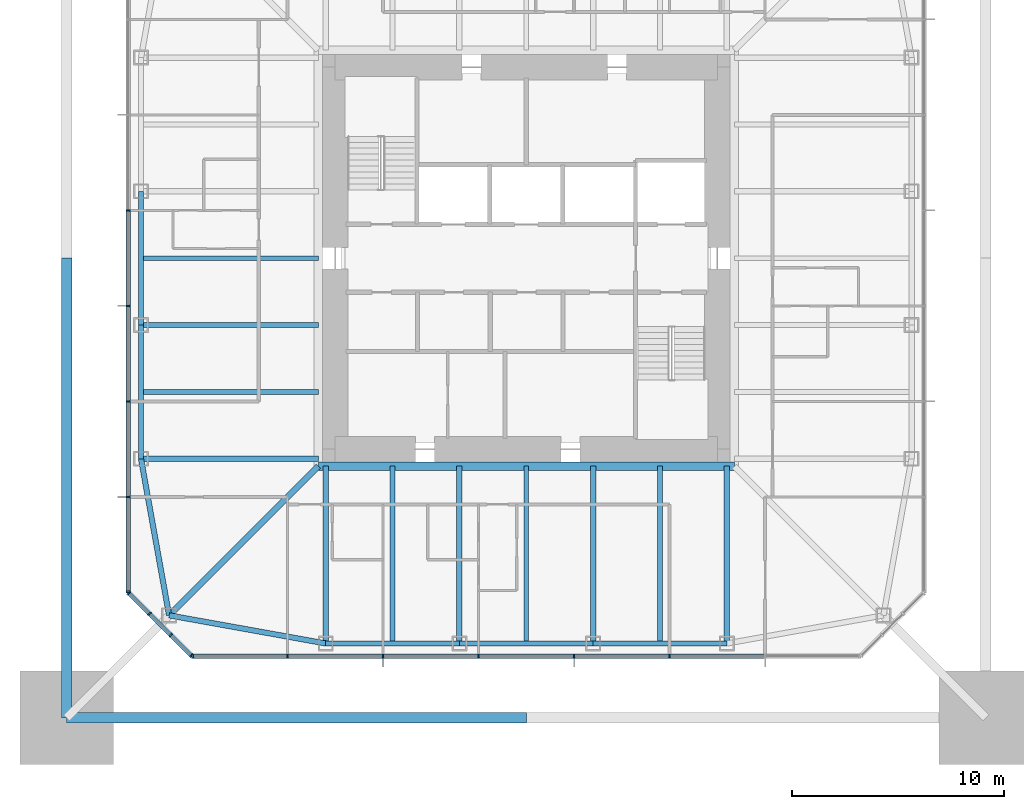
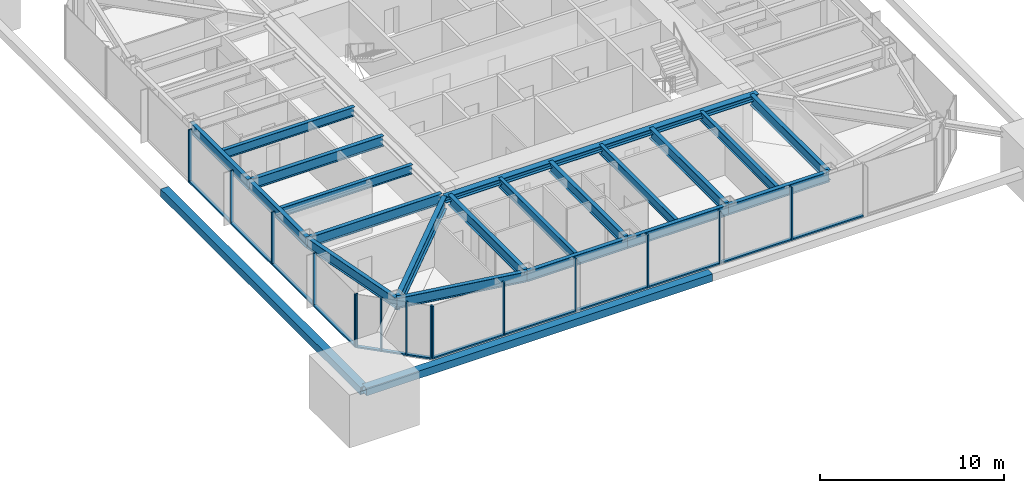
# One storey, part 2 of 13: 30 members, 20 beams, 3 elements without a shape of their own.
"""IFC4 building model written with IfcOpenShell, lengths in metres."""

from ifc_helpers import new_model, si_unit, direction, frame, origin, origin_2d, place, context, subcontext, project, spatial, rectangle, hollow_rectangle, i_section, extrude, material, material_profile, profile_set, type_object, element, aggregate, save


model = new_model("IFC4")

# Units and contexts
model_context = context("Model", 3, precision=1e-05, world=origin(), true_north=direction((0.0, 1.0)))
body_context = subcontext(model_context, "Body", "Model", "MODEL_VIEW")
ifc_project = project(units=[si_unit("LENGTHUNIT", "METRE"), si_unit("AREAUNIT", "SQUARE_METRE"), si_unit("VOLUMEUNIT", "CUBIC_METRE"), si_unit("PLANEANGLEUNIT", "RADIAN"), si_unit("MASSUNIT", "GRAM", prefix="KILO")], contexts=[model_context])

# Site, building, storey
site_placement = place(None, origin())
site = spatial("IfcSite", under=ifc_project, at=site_placement, CompositionType="ELEMENT")
building_placement = place(site_placement, origin())
building = spatial("IfcBuilding", under=site, at=building_placement, Name="Iwan Alto Co-Living Towers", CompositionType="ELEMENT")
storey_placement = place(building_placement, frame((0.0, 0.0, 191.5)))
storey = spatial("IfcBuildingStorey", under=building, at=storey_placement, Name="L52", CompositionType="ELEMENT", Elevation=191.5)

# Curtain wall, members
ifc_material_1 = material(Name="Bronze aluminium unitised frame", Category="aluminium")
curtain_wall_type_1 = type_object("IfcCurtainWallType", Name="CURTAIN WALL CW-A", PredefinedType="NOTDEFINED", material=ifc_material_1)
curtain_wall_1_placement = place(storey_placement, origin())
curtain_wall_1 = element("IfcCurtainWall", 1, at=curtain_wall_1_placement, inside=storey, type_object=curtain_wall_type_1, Name="T1 curtain wall S L52", PredefinedType="NOTDEFINED")
ifc_material_2 = material(Name="Aluminium 6063-T6 bronze anodised", Category="aluminium")
ifc_material_profile_1 = material_profile(ifc_material_2, rectangle(XDim=0.199951171875, YDim=0.080078125, at=origin_2d()), Name="AL 80X200")
ifc_profile_set_1 = profile_set([ifc_material_profile_1], Name="Aluminium 6063-T6 bronze anodised")
member_type_1 = type_object("IfcMemberType", Name="CW-A MULLION 80X200", PredefinedType="MULLION", material=ifc_profile_set_1)
member_1_placement = place(storey_placement, frame((-15.7099609375, -18.75, 0.0), z_axis=(0.0, 0.0, 1.0), x_axis=(0.0, 1.0, 0.0)))
member_1 = element("IfcMember", 2, at=member_1_placement, type_object=member_type_1, Name="CW-A mullion 1", PredefinedType="MULLION", context=body_context, shape_type="SweptSolid", body=[
    extrude(rectangle(XDim=0.199951171875, YDim=0.080078125, at=origin_2d()), origin(), (0.0, 0.0, 1.0), 3.5),
])
member_2_placement = place(storey_placement, frame((-11.25, -18.75, 0.0), z_axis=(0.0, 0.0, 1.0), x_axis=(0.0, 1.0, 0.0)))
member_2 = element("IfcMember", 3, at=member_2_placement, type_object=member_type_1, Name="CW-A mullion 2", PredefinedType="MULLION", context=body_context, shape_type="SweptSolid", body=[
    extrude(rectangle(XDim=0.199951171875, YDim=0.080078125, at=origin_2d()), origin(), (0.0, 0.0, 1.0), 3.5),
])
member_3_placement = place(storey_placement, frame((-6.75, -18.75, 0.0), z_axis=(0.0, 0.0, 1.0), x_axis=(0.0, 1.0, 0.0)))
member_3 = element("IfcMember", 4, at=member_3_placement, type_object=member_type_1, Name="CW-A mullion 3", PredefinedType="MULLION", context=body_context, shape_type="SweptSolid", body=[
    extrude(rectangle(XDim=0.199951171875, YDim=0.080078125, at=origin_2d()), origin(), (0.0, 0.0, 1.0), 3.5),
])
member_4_placement = place(storey_placement, frame((-2.25, -18.75, 0.0), z_axis=(0.0, 0.0, 1.0), x_axis=(0.0, 1.0, 0.0)))
member_4 = element("IfcMember", 5, at=member_4_placement, type_object=member_type_1, Name="CW-A mullion 4", PredefinedType="MULLION", context=body_context, shape_type="SweptSolid", body=[
    extrude(rectangle(XDim=0.199951171875, YDim=0.080078125, at=origin_2d()), origin(), (0.0, 0.0, 1.0), 3.5),
])
member_5_placement = place(storey_placement, frame((2.25, -18.75, 0.0), z_axis=(0.0, 0.0, 1.0), x_axis=(0.0, 1.0, 0.0)))
member_5 = element("IfcMember", 6, at=member_5_placement, type_object=member_type_1, Name="CW-A mullion 5", PredefinedType="MULLION", context=body_context, shape_type="SweptSolid", body=[
    extrude(rectangle(XDim=0.199951171875, YDim=0.080078125, at=origin_2d()), origin(), (0.0, 0.0, 1.0), 3.5),
])
member_6_placement = place(storey_placement, frame((6.75, -18.75, 0.0), z_axis=(0.0, 0.0, 1.0), x_axis=(0.0, 1.0, 0.0)))
member_6 = element("IfcMember", 7, at=member_6_placement, type_object=member_type_1, Name="CW-A mullion 6", PredefinedType="MULLION", context=body_context, shape_type="SweptSolid", body=[
    extrude(rectangle(XDim=0.199951171875, YDim=0.080078125, at=origin_2d()), origin(), (0.0, 0.0, 1.0), 3.5),
])

curtain_wall_2_placement = place(storey_placement, origin())
curtain_wall_2 = element("IfcCurtainWall", 8, at=curtain_wall_2_placement, inside=storey, type_object=curtain_wall_type_1, Name="T1 curtain wall W L52", PredefinedType="NOTDEFINED")
member_7_placement = place(storey_placement, frame((-18.75, 2.25, 0.0), z_axis=(0.0, 0.0, 1.0), x_axis=(1.0, 0.0, 0.0)))
member_7 = element("IfcMember", 9, at=member_7_placement, type_object=member_type_1, Name="CW-A mullion 4", PredefinedType="MULLION", context=body_context, shape_type="SweptSolid", body=[
    extrude(rectangle(XDim=0.199951171875, YDim=0.080078125, at=origin_2d()), origin(), (0.0, 0.0, 1.0), 3.5),
])
member_8_placement = place(storey_placement, frame((-18.75, -2.25, 0.0), z_axis=(0.0, 0.0, 1.0), x_axis=(1.0, 0.0, 0.0)))
member_8 = element("IfcMember", 10, at=member_8_placement, type_object=member_type_1, Name="CW-A mullion 5", PredefinedType="MULLION", context=body_context, shape_type="SweptSolid", body=[
    extrude(rectangle(XDim=0.199951171875, YDim=0.080078125, at=origin_2d()), origin(), (0.0, 0.0, 1.0), 3.5),
])
member_9_placement = place(storey_placement, frame((-18.75, -6.75, 0.0), z_axis=(0.0, 0.0, 1.0), x_axis=(1.0, 0.0, 0.0)))
member_9 = element("IfcMember", 11, at=member_9_placement, type_object=member_type_1, Name="CW-A mullion 6", PredefinedType="MULLION", context=body_context, shape_type="SweptSolid", body=[
    extrude(rectangle(XDim=0.199951171875, YDim=0.080078125, at=origin_2d()), origin(), (0.0, 0.0, 1.0), 3.5),
])
member_10_placement = place(storey_placement, frame((-18.75, -11.25, 0.0), z_axis=(0.0, 0.0, 1.0), x_axis=(1.0, 0.0, 0.0)))
member_10 = element("IfcMember", 12, at=member_10_placement, type_object=member_type_1, Name="CW-A mullion 7", PredefinedType="MULLION", context=body_context, shape_type="SweptSolid", body=[
    extrude(rectangle(XDim=0.199951171875, YDim=0.080078125, at=origin_2d()), origin(), (0.0, 0.0, 1.0), 3.5),
])
member_11_placement = place(storey_placement, frame((-18.75, -15.7099609375, 0.0), z_axis=(0.0, 0.0, 1.0), x_axis=(1.0, 0.0, 0.0)))
member_11 = element("IfcMember", 13, at=member_11_placement, type_object=member_type_1, Name="CW-A mullion 8", PredefinedType="MULLION", context=body_context, shape_type="SweptSolid", body=[
    extrude(rectangle(XDim=0.199951171875, YDim=0.080078125, at=origin_2d()), origin(), (0.0, 0.0, 1.0), 3.5),
])

# Member
ifc_material_3 = material(Name="Aluminium 6063-T6 bronze anodised", Category="aluminium")
ifc_material_profile_2 = material_profile(ifc_material_3, rectangle(XDim=0.199951171875, YDim=0.10009765625, at=origin_2d()), Name="AL 200X100")
ifc_profile_set_2 = profile_set([ifc_material_profile_2], Name="Aluminium 6063-T6 bronze anodised")
member_type_2 = type_object("IfcMemberType", Name="CW-A TRANSOM 200X100", PredefinedType="USERDEFINED", material=ifc_profile_set_2)
member_12_placement = place(storey_placement, frame((-15.669921875, -18.75, 0.050048828125), z_axis=(1.0, 0.0, 0.0), x_axis=(0.0, 1.0, 0.0)))
member_12 = element("IfcMember", 14, at=member_12_placement, type_object=member_type_2, Name="CW-A transom 1.1", ObjectType="TRANSOM", PredefinedType="USERDEFINED", context=body_context, shape_type="SweptSolid", body=[
    extrude(rectangle(XDim=0.199951171875, YDim=0.10009765625, at=origin_2d()), origin(), (0.0, 0.0, 1.0), 4.3798828125),
])

member_13_placement = place(storey_placement, frame((-11.2099609375, -18.75, 0.050048828125), z_axis=(1.0, 0.0, 0.0), x_axis=(0.0, 1.0, 0.0)))
member_13 = element("IfcMember", 15, at=member_13_placement, type_object=member_type_2, Name="CW-A transom 2.1", ObjectType="TRANSOM", PredefinedType="USERDEFINED", context=body_context, shape_type="SweptSolid", body=[
    extrude(rectangle(XDim=0.199951171875, YDim=0.10009765625, at=origin_2d()), origin(), (0.0, 0.0, 1.0), 4.419921875),
])

member_14_placement = place(storey_placement, frame((-6.7099609375, -18.75, 0.050048828125), z_axis=(1.0, 0.0, 0.0), x_axis=(0.0, 1.0, 0.0)))
member_14 = element("IfcMember", 16, at=member_14_placement, type_object=member_type_2, Name="CW-A transom 3.1", ObjectType="TRANSOM", PredefinedType="USERDEFINED", context=body_context, shape_type="SweptSolid", body=[
    extrude(rectangle(XDim=0.199951171875, YDim=0.10009765625, at=origin_2d()), origin(), (0.0, 0.0, 1.0), 4.419921875),
])

member_15_placement = place(storey_placement, frame((-2.2099609375, -18.75, 0.050048828125), z_axis=(1.0, 0.0, 0.0), x_axis=(0.0, 1.0, 0.0)))
member_15 = element("IfcMember", 17, at=member_15_placement, type_object=member_type_2, Name="CW-A transom 4.1", ObjectType="TRANSOM", PredefinedType="USERDEFINED", context=body_context, shape_type="SweptSolid", body=[
    extrude(rectangle(XDim=0.199951171875, YDim=0.10009765625, at=origin_2d()), origin(), (0.0, 0.0, 1.0), 4.419921875),
])

member_16_placement = place(storey_placement, frame((2.2900390625, -18.75, 0.050048828125), z_axis=(1.0, 0.0, 0.0), x_axis=(0.0, 1.0, 0.0)))
member_16 = element("IfcMember", 18, at=member_16_placement, type_object=member_type_2, Name="CW-A transom 5.1", ObjectType="TRANSOM", PredefinedType="USERDEFINED", context=body_context, shape_type="SweptSolid", body=[
    extrude(rectangle(XDim=0.199951171875, YDim=0.10009765625, at=origin_2d()), origin(), (0.0, 0.0, 1.0), 4.419921875),
])

member_17_placement = place(storey_placement, frame((6.7900390625, -18.75, 0.050048828125), z_axis=(1.0, 0.0, 0.0), x_axis=(0.0, 1.0, 0.0)))
member_17 = element("IfcMember", 19, at=member_17_placement, type_object=member_type_2, Name="CW-A transom 6.1", ObjectType="TRANSOM", PredefinedType="USERDEFINED", context=body_context, shape_type="SweptSolid", body=[
    extrude(rectangle(XDim=0.199951171875, YDim=0.10009765625, at=origin_2d()), origin(), (0.0, 0.0, 1.0), 4.419921875),
])

aggregate(curtain_wall_1, [member_1, member_2, member_3, member_4, member_5, member_6, member_12, member_13, member_14, member_15, member_16, member_17])

member_18_placement = place(storey_placement, frame((-18.75, 2.2099609375, 0.050048828125), z_axis=(0.0, -1.0, 0.0), x_axis=(1.0, 0.0, 0.0)))
member_18 = element("IfcMember", 20, at=member_18_placement, type_object=member_type_2, Name="CW-A transom 4.1", ObjectType="TRANSOM", PredefinedType="USERDEFINED", context=body_context, shape_type="SweptSolid", body=[
    extrude(rectangle(XDim=0.199951171875, YDim=0.10009765625, at=origin_2d()), origin(), (0.0, 0.0, 1.0), 4.419921875),
])

member_19_placement = place(storey_placement, frame((-18.75, -2.2900390625, 0.050048828125), z_axis=(0.0, -1.0, 0.0), x_axis=(1.0, 0.0, 0.0)))
member_19 = element("IfcMember", 21, at=member_19_placement, type_object=member_type_2, Name="CW-A transom 5.1", ObjectType="TRANSOM", PredefinedType="USERDEFINED", context=body_context, shape_type="SweptSolid", body=[
    extrude(rectangle(XDim=0.199951171875, YDim=0.10009765625, at=origin_2d()), origin(), (0.0, 0.0, 1.0), 4.419921875),
])

member_20_placement = place(storey_placement, frame((-18.75, -6.7900390625, 0.050048828125), z_axis=(0.0, -1.0, 0.0), x_axis=(1.0, 0.0, 0.0)))
member_20 = element("IfcMember", 22, at=member_20_placement, type_object=member_type_2, Name="CW-A transom 6.1", ObjectType="TRANSOM", PredefinedType="USERDEFINED", context=body_context, shape_type="SweptSolid", body=[
    extrude(rectangle(XDim=0.199951171875, YDim=0.10009765625, at=origin_2d()), origin(), (0.0, 0.0, 1.0), 4.419921875),
])

member_21_placement = place(storey_placement, frame((-18.75, -11.2900390625, 0.050048828125), z_axis=(0.0, -1.0, 0.0), x_axis=(1.0, 0.0, 0.0)))
member_21 = element("IfcMember", 23, at=member_21_placement, type_object=member_type_2, Name="CW-A transom 7.1", ObjectType="TRANSOM", PredefinedType="USERDEFINED", context=body_context, shape_type="SweptSolid", body=[
    extrude(rectangle(XDim=0.199951171875, YDim=0.10009765625, at=origin_2d()), origin(), (0.0, 0.0, 1.0), 4.3798828125),
])

aggregate(curtain_wall_2, [member_7, member_8, member_9, member_10, member_11, member_18, member_19, member_20, member_21])

# Curtain wall, members
ifc_material_4 = material(Name="Bronze aluminium unitised frame", Category="aluminium")
curtain_wall_type_2 = type_object("IfcCurtainWallType", Name="CURTAIN WALL CW-B", PredefinedType="NOTDEFINED", material=ifc_material_4)
curtain_wall_3_placement = place(storey_placement, origin())
curtain_wall_3 = element("IfcCurtainWall", 24, at=curtain_wall_3_placement, inside=storey, type_object=curtain_wall_type_2, Name="T1 chamfer curtain wall SW L52", PredefinedType="NOTDEFINED")
ifc_material_5 = material(Name="Aluminium 6063-T6 bronze anodised", Category="aluminium")
ifc_material_profile_3 = material_profile(ifc_material_5, rectangle(XDim=0.199951171875, YDim=0.080078125, at=origin_2d()), Name="AL 80X200")
ifc_profile_set_3 = profile_set([ifc_material_profile_3], Name="Aluminium 6063-T6 bronze anodised")
member_type_3 = type_object("IfcMemberType", Name="CW-B MULLION 80X200", PredefinedType="MULLION", material=ifc_profile_set_3)
member_22_placement = place(storey_placement, frame((-18.7216796875, -15.7783203125, 0.0), z_axis=(0.0, 0.0, 1.0), x_axis=(0.707106781187, 0.707106781187, 0.0)))
member_22 = element("IfcMember", 25, at=member_22_placement, type_object=member_type_3, Name="CW-B mullion 1", PredefinedType="MULLION", context=body_context, shape_type="SweptSolid", body=[
    extrude(rectangle(XDim=0.199951171875, YDim=0.080078125, at=origin_2d()), origin(), (0.0, 0.0, 1.0), 3.5),
])
member_23_placement = place(storey_placement, frame((-17.75, -16.75, 0.0), z_axis=(0.0, 0.0, 1.0), x_axis=(0.707106781187, 0.707106781187, 0.0)))
member_23 = element("IfcMember", 26, at=member_23_placement, type_object=member_type_3, Name="CW-B mullion 2", PredefinedType="MULLION", context=body_context, shape_type="SweptSolid", body=[
    extrude(rectangle(XDim=0.199951171875, YDim=0.080078125, at=origin_2d()), origin(), (0.0, 0.0, 1.0), 3.5),
])
member_24_placement = place(storey_placement, frame((-16.75, -17.75, 0.0), z_axis=(0.0, 0.0, 1.0), x_axis=(0.707106781187, 0.707106781187, 0.0)))
member_24 = element("IfcMember", 27, at=member_24_placement, type_object=member_type_3, Name="CW-B mullion 3", PredefinedType="MULLION", context=body_context, shape_type="SweptSolid", body=[
    extrude(rectangle(XDim=0.199951171875, YDim=0.080078125, at=origin_2d()), origin(), (0.0, 0.0, 1.0), 3.5),
])
member_25_placement = place(storey_placement, frame((-15.7783203125, -18.7216796875, 0.0), z_axis=(0.0, 0.0, 1.0), x_axis=(0.707106781187, 0.707106781187, 0.0)))
member_25 = element("IfcMember", 28, at=member_25_placement, type_object=member_type_3, Name="CW-B mullion 4", PredefinedType="MULLION", context=body_context, shape_type="SweptSolid", body=[
    extrude(rectangle(XDim=0.199951171875, YDim=0.080078125, at=origin_2d()), origin(), (0.0, 0.0, 1.0), 3.5),
])
ifc_material_6 = material(Name="Aluminium 6063-T6 bronze anodised", Category="aluminium")
ifc_material_profile_4 = material_profile(ifc_material_6, rectangle(XDim=0.199951171875, YDim=0.10009765625, at=origin_2d()), Name="AL 200X100")
ifc_profile_set_4 = profile_set([ifc_material_profile_4], Name="Aluminium 6063-T6 bronze anodised")
member_type_4 = type_object("IfcMemberType", Name="CW-B TRANSOM 200X100", PredefinedType="USERDEFINED", material=ifc_profile_set_4)
member_26_placement = place(storey_placement, frame((-18.693359375, -15.806640625, 0.050048828125), z_axis=(0.707106781187, -0.707106781187, 0.0), x_axis=(0.707106781187, 0.707106781187, 0.0)))
member_26 = element("IfcMember", 29, at=member_26_placement, type_object=member_type_4, Name="CW-B transom 1.1", ObjectType="TRANSOM", PredefinedType="USERDEFINED", context=body_context, shape_type="SweptSolid", body=[
    extrude(rectangle(XDim=0.199951171875, YDim=0.10009765625, at=origin_2d()), origin(), (0.0, 0.0, 1.0), 1.2939453125),
])
member_27_placement = place(storey_placement, frame((-17.7216796875, -16.7783203125, 0.050048828125), z_axis=(0.707106781187, -0.707106781187, 0.0), x_axis=(0.707106781187, 0.707106781187, 0.0)))
member_27 = element("IfcMember", 30, at=member_27_placement, type_object=member_type_4, Name="CW-B transom 2.1", ObjectType="TRANSOM", PredefinedType="USERDEFINED", context=body_context, shape_type="SweptSolid", body=[
    extrude(rectangle(XDim=0.199951171875, YDim=0.10009765625, at=origin_2d()), origin(), (0.0, 0.0, 1.0), 1.334228515625),
])
member_28_placement = place(storey_placement, frame((-16.7216796875, -17.7783203125, 0.050048828125), z_axis=(0.707106781187, -0.707106781187, 0.0), x_axis=(0.707106781187, 0.707106781187, 0.0)))
member_28 = element("IfcMember", 31, at=member_28_placement, type_object=member_type_4, Name="CW-B transom 3.1", ObjectType="TRANSOM", PredefinedType="USERDEFINED", context=body_context, shape_type="SweptSolid", body=[
    extrude(rectangle(XDim=0.199951171875, YDim=0.10009765625, at=origin_2d()), origin(), (0.0, 0.0, 1.0), 1.2939453125),
])
aggregate(curtain_wall_3, [member_22, member_23, member_24, member_25, member_26, member_27, member_28])

# Beams
ifc_material_7 = material(Name="Steel ASTM A992 Gr 50", Category="steel")
ifc_material_profile_5 = material_profile(ifc_material_7, i_section(OverallWidth=0.398681640625, OverallDepth=0.385986328125, WebThickness=0.02099609375, FlangeThickness=0.033203125, at=origin_2d()), Name="W14X176")
ifc_profile_set_5 = profile_set([ifc_material_profile_5], Name="Steel ASTM A992 Gr 50")
beam_type_1 = type_object("IfcBeamType", Name="T1 CORE LEDGER BEAM W14X176", PredefinedType="BEAM", material=ifc_profile_set_5)
beam_1_placement = place(storey_placement, frame((-9.79931640625, -9.79931640625, 3.076904296875), z_axis=(1.0, 0.0, 0.0), x_axis=(0.0, 1.0, 0.0)))
element("IfcBeam", 32, at=beam_1_placement, inside=storey, type_object=beam_type_1, Name="T1 core ledger beam S L53", PredefinedType="BEAM", context=body_context, shape_type="SweptSolid", body=[
    extrude(i_section(OverallWidth=0.398681640625, OverallDepth=0.385986328125, WebThickness=0.02099609375, FlangeThickness=0.033203125, at=origin_2d()), origin(), (0.0, 0.0, 1.0), 19.5986328125),
])
ifc_material_8 = material(Name="Steel ASTM A992 Gr 50", Category="steel")
ifc_material_profile_6 = material_profile(ifc_material_8, i_section(OverallWidth=0.2919921875, OverallDepth=0.8408203125, WebThickness=0.0146484375, FlangeThickness=0.021728515625, at=origin_2d()), Name="W33X130")
ifc_profile_set_6 = profile_set([ifc_material_profile_6], Name="Steel ASTM A992 Gr 50")
beam_type_2 = type_object("IfcBeamType", Name="T1 CORNER GIRDER W33X130", PredefinedType="BEAM", material=ifc_profile_set_6)
beam_2_placement = place(storey_placement, frame((-16.82568359375, -16.82568359375, 2.849609375), z_axis=(0.707106781187, 0.707106781187, 0.0), x_axis=(-0.707106781187, 0.707106781187, 0.0)))
element("IfcBeam", 33, at=beam_2_placement, inside=storey, type_object=beam_type_2, Name="T1 corner girder CSW L53", PredefinedType="BEAM", context=body_context, shape_type="SweptSolid", body=[
    extrude(i_section(OverallWidth=0.2919921875, OverallDepth=0.8408203125, WebThickness=0.0146484375, FlangeThickness=0.021728515625, at=origin_2d()), origin(), (0.0, 0.0, 1.0), 9.936767578125),
])
ifc_material_9 = material(Name="Steel ASTM A992 Gr 50", Category="steel")
ifc_material_profile_7 = material_profile(ifc_material_9, i_section(OverallWidth=0.25390625, OverallDepth=0.683349609375, WebThickness=0.012451171875, FlangeThickness=0.018798828125, at=origin_2d()), Name="W27X94")
ifc_profile_set_7 = profile_set([ifc_material_profile_7], Name="Steel ASTM A992 Gr 50")
beam_type_3 = type_object("IfcBeamType", Name="T1 EDGE BEAM W27X94", PredefinedType="BEAM", material=ifc_profile_set_7)
beam_3_placement = place(storey_placement, frame((-16.82568359375, -16.82568359375, 2.928466796875), z_axis=(0.98426263553, -0.17671181143, 0.0), x_axis=(0.17671181143, 0.98426263553, 0.0)))
element("IfcBeam", 34, at=beam_3_placement, inside=storey, type_object=beam_type_3, Name="T1 edge beam CSW L53", PredefinedType="BEAM", context=body_context, shape_type="SweptSolid", body=[
    extrude(i_section(OverallWidth=0.25390625, OverallDepth=0.683349609375, WebThickness=0.012451171875, FlangeThickness=0.018798828125, at=origin_2d()), origin(), (0.0, 0.0, 1.0), 7.49365234375),
])
beam_4_placement = place(storey_placement, frame((-9.449951171875, -18.14990234375, 2.928466796875), z_axis=(1.0, 0.0, 0.0), x_axis=(0.0, 1.0, 0.0)))
element("IfcBeam", 35, at=beam_4_placement, inside=storey, type_object=beam_type_3, Name="T1 edge beam S1 L53", PredefinedType="BEAM", context=body_context, shape_type="SweptSolid", body=[
    extrude(i_section(OverallWidth=0.25390625, OverallDepth=0.683349609375, WebThickness=0.012451171875, FlangeThickness=0.018798828125, at=origin_2d()), origin(), (0.0, 0.0, 1.0), 6.300048828125),
])
beam_5_placement = place(storey_placement, frame((-3.14990234375, -18.14990234375, 2.928466796875), z_axis=(1.0, 0.0, 0.0), x_axis=(0.0, 1.0, 0.0)))
element("IfcBeam", 36, at=beam_5_placement, inside=storey, type_object=beam_type_3, Name="T1 edge beam S2 L53", PredefinedType="BEAM", context=body_context, shape_type="SweptSolid", body=[
    extrude(i_section(OverallWidth=0.25390625, OverallDepth=0.683349609375, WebThickness=0.012451171875, FlangeThickness=0.018798828125, at=origin_2d()), origin(), (0.0, 0.0, 1.0), 6.2998046875),
])
beam_6_placement = place(storey_placement, frame((3.14990234375, -18.14990234375, 2.928466796875), z_axis=(1.0, 0.0, 0.0), x_axis=(0.0, 1.0, 0.0)))
element("IfcBeam", 37, at=beam_6_placement, inside=storey, type_object=beam_type_3, Name="T1 edge beam S3 L53", PredefinedType="BEAM", context=body_context, shape_type="SweptSolid", body=[
    extrude(i_section(OverallWidth=0.25390625, OverallDepth=0.683349609375, WebThickness=0.012451171875, FlangeThickness=0.018798828125, at=origin_2d()), origin(), (0.0, 0.0, 1.0), 6.300048828125),
])
beam_7_placement = place(storey_placement, frame((-18.14990234375, 3.14990234375, 2.928466796875), z_axis=(0.0, -1.0, 0.0), x_axis=(1.0, 0.0, 0.0)))
element("IfcBeam", 38, at=beam_7_placement, inside=storey, type_object=beam_type_3, Name="T1 edge beam W2 L53", PredefinedType="BEAM", context=body_context, shape_type="SweptSolid", body=[
    extrude(i_section(OverallWidth=0.25390625, OverallDepth=0.683349609375, WebThickness=0.012451171875, FlangeThickness=0.018798828125, at=origin_2d()), origin(), (0.0, 0.0, 1.0), 6.2998046875),
])
beam_8_placement = place(storey_placement, frame((-18.14990234375, -3.14990234375, 2.928466796875), z_axis=(0.0, -1.0, 0.0), x_axis=(1.0, 0.0, 0.0)))
element("IfcBeam", 39, at=beam_8_placement, inside=storey, type_object=beam_type_3, Name="T1 edge beam W3 L53", PredefinedType="BEAM", context=body_context, shape_type="SweptSolid", body=[
    extrude(i_section(OverallWidth=0.25390625, OverallDepth=0.683349609375, WebThickness=0.012451171875, FlangeThickness=0.018798828125, at=origin_2d()), origin(), (0.0, 0.0, 1.0), 6.300048828125),
])
beam_9_placement = place(storey_placement, frame((-18.14990234375, -9.449951171875, 2.928466796875), z_axis=(0.17671181143, -0.98426263553, 0.0), x_axis=(0.98426263553, 0.17671181143, 0.0)))
element("IfcBeam", 40, at=beam_9_placement, inside=storey, type_object=beam_type_3, Name="T1 edge beam W4 L53", PredefinedType="BEAM", context=body_context, shape_type="SweptSolid", body=[
    extrude(i_section(OverallWidth=0.25390625, OverallDepth=0.683349609375, WebThickness=0.012451171875, FlangeThickness=0.018798828125, at=origin_2d()), origin(), (0.0, 0.0, 1.0), 7.49365234375),
])

# Members
ifc_material_10 = material(Name="Steel ASTM A572 Gr 50", Category="steel")
ifc_material_profile_8 = material_profile(ifc_material_10, hollow_rectangle(XDim=0.5, YDim=0.5, WallThickness=0.031982421875, at=origin_2d()), Name="BOX 500X500X32")
ifc_profile_set_8 = profile_set([ifc_material_profile_8], Name="Steel ASTM A572 Gr 50")
member_type_5 = type_object("IfcMemberType", Name="T1 MEGA TIE BOX 500X500X32", PredefinedType="STRUT", material=ifc_profile_set_8)
for number, where, z_axis, x_axis, name in (
    (41, (-21.64990234375, -21.64990234375, 1.75), (1.0, 0.0, 0.0), (0.0, 1.0, 0.0), "T1 mega tie Z3B S 1"),
    (42, (-21.64990234375, 0.0, 1.75), (0.0, -1.0, 0.0), (1.0, 0.0, 0.0), "T1 mega tie Z3B W 2"),
):
    element("IfcMember", number, at=place(storey_placement, frame(where, z_axis=z_axis, x_axis=x_axis)), inside=storey, type_object=member_type_5, Name=name, PredefinedType="STRUT", context=body_context, shape_type="SweptSolid", body=[
        extrude(hollow_rectangle(XDim=0.5, YDim=0.5, WallThickness=0.031982421875, at=origin_2d()), origin(), (0.0, 0.0, 1.0), 21.64990234375),
    ])

# Beams
ifc_material_11 = material(Name="Steel ASTM A992 Gr 50", Category="steel")
ifc_material_profile_9 = material_profile(ifc_material_11, i_section(OverallWidth=0.25390625, OverallDepth=0.683349609375, WebThickness=0.012451171875, FlangeThickness=0.018798828125, at=origin_2d()), Name="W27X94")
ifc_profile_set_9 = profile_set([ifc_material_profile_9], Name="Steel ASTM A992 Gr 50")
beam_type_4 = type_object("IfcBeamType", Name="T1 RADIAL BEAM W27X94", PredefinedType="BEAM", material=ifc_profile_set_9)
for number, where, z_axis, x_axis, name in (
    (43, (-9.449951171875, -18.14990234375, 2.928466796875), (0.0, 1.0, 0.0), (-1.0, 0.0, 0.0), "T1 radial beam S1 L53"),
    (44, (-3.14990234375, -18.14990234375, 2.928466796875), (0.0, 1.0, 0.0), (-1.0, 0.0, 0.0), "T1 radial beam S2 L53"),
    (45, (3.14990234375, -18.14990234375, 2.928466796875), (0.0, 1.0, 0.0), (-1.0, 0.0, 0.0), "T1 radial beam S3 L53"),
    (46, (9.449951171875, -18.14990234375, 2.928466796875), (0.0, 1.0, 0.0), (-1.0, 0.0, 0.0), "T1 radial beam S4 L53"),
    (47, (-18.14990234375, -3.14990234375, 2.928466796875), (1.0, 0.0, 0.0), (0.0, 1.0, 0.0), "T1 radial beam W3 L53"),
    (48, (-18.14990234375, -9.449951171875, 2.928466796875), (1.0, 0.0, 0.0), (0.0, 1.0, 0.0), "T1 radial beam W4 L53"),
):
    element("IfcBeam", number, at=place(storey_placement, frame(where, z_axis=z_axis, x_axis=x_axis)), inside=storey, type_object=beam_type_4, Name=name, PredefinedType="BEAM", context=body_context, shape_type="SweptSolid", body=[
        extrude(i_section(OverallWidth=0.25390625, OverallDepth=0.683349609375, WebThickness=0.012451171875, FlangeThickness=0.018798828125, at=origin_2d()), origin(), (0.0, 0.0, 1.0), 8.3505859375),
    ])
ifc_material_12 = material(Name="Steel ASTM A992 Gr 50", Category="steel")
ifc_material_profile_10 = material_profile(ifc_material_12, i_section(OverallWidth=0.228271484375, OverallDepth=0.607177734375, WebThickness=0.01123046875, FlangeThickness=0.017333984375, at=origin_2d()), Name="W24X76")
ifc_profile_set_10 = profile_set([ifc_material_profile_10], Name="Steel ASTM A992 Gr 50")
beam_type_5 = type_object("IfcBeamType", Name="T1 SECONDARY BEAM W24X76", PredefinedType="JOIST", material=ifc_profile_set_10)
for number, where, z_axis, x_axis, name in (
    (49, (-6.300048828125, -18.14990234375, 2.966552734375), (0.0, 1.0, 0.0), (-1.0, 0.0, 0.0), "T1 secondary beam S1 L53"),
    (50, (0.0, -18.14990234375, 2.966552734375), (0.0, 1.0, 0.0), (-1.0, 0.0, 0.0), "T1 secondary beam S2 L53"),
    (51, (6.300048828125, -18.14990234375, 2.966552734375), (0.0, 1.0, 0.0), (-1.0, 0.0, 0.0), "T1 secondary beam S3 L53"),
    (52, (-18.14990234375, 0.0, 2.966552734375), (1.0, 0.0, 0.0), (0.0, 1.0, 0.0), "T1 secondary beam W2 L53"),
    (53, (-18.14990234375, -6.300048828125, 2.966552734375), (1.0, 0.0, 0.0), (0.0, 1.0, 0.0), "T1 secondary beam W3 L53"),
):
    element("IfcBeam", number, at=place(storey_placement, frame(where, z_axis=z_axis, x_axis=x_axis)), inside=storey, type_object=beam_type_5, Name=name, PredefinedType="JOIST", context=body_context, shape_type="SweptSolid", body=[
        extrude(i_section(OverallWidth=0.228271484375, OverallDepth=0.607177734375, WebThickness=0.01123046875, FlangeThickness=0.017333984375, at=origin_2d()), origin(), (0.0, 0.0, 1.0), 8.3505859375),
    ])

save(model, "model.ifc")
